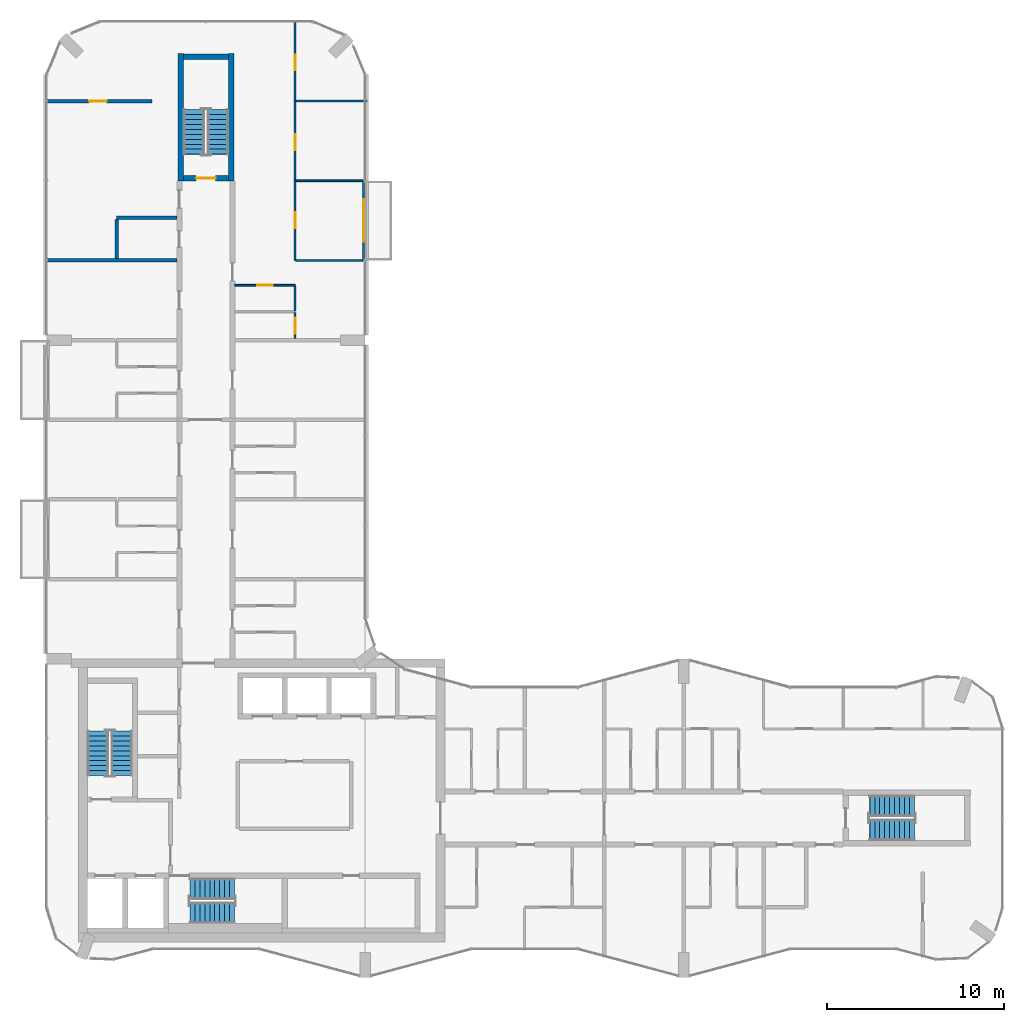
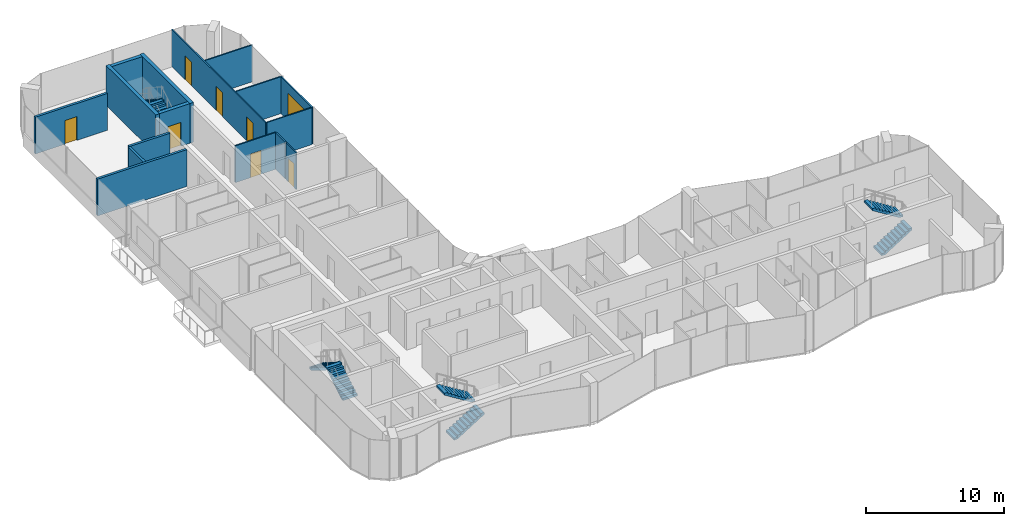
# One storey, part 13 of 16: 16 walls, 8 doors, 8 stair flights, 8 openings, 4 elements without a shape of their own.
"""IFC4 building model written with IfcOpenShell, lengths in metres."""

from ifc_helpers import new_model, si_unit, direction, frame, frame_2d, origin, place, context, subcontext, project, spatial, polyline, rectangle, outline, extrude, material, layer, layer_set, type_object, element, fill, aggregate, save


model = new_model("IFC4")

# Units and contexts
model_context = context("Model", 3, precision=1e-05, world=origin(), true_north=direction((0.0, 1.0)))
body_context = subcontext(model_context, "Body", "Model", "MODEL_VIEW")
ifc_project = project(units=[si_unit("LENGTHUNIT", "METRE"), si_unit("AREAUNIT", "SQUARE_METRE"), si_unit("VOLUMEUNIT", "CUBIC_METRE"), si_unit("PLANEANGLEUNIT", "RADIAN"), si_unit("MASSUNIT", "GRAM", prefix="KILO")], contexts=[model_context])

# Site, building, storey
site_placement = place(None, origin())
site = spatial("IfcSite", under=ifc_project, at=site_placement, CompositionType="ELEMENT")
building_placement = place(site_placement, origin())
building = spatial("IfcBuilding", under=site, at=building_placement, Name="Plateau Cross Towers", CompositionType="ELEMENT")
storey_placement = place(building_placement, frame((0.0, 0.0, 215.39990234375)))
storey = spatial("IfcBuildingStorey", under=building, at=storey_placement, Name="L56", CompositionType="ELEMENT", Elevation=215.39990234375)

# Wall, opening, door
ifc_material_1 = material(Name="Aluminium framed glazing", Category="aluminium")
ifc_layer_1 = layer(ifc_material_1, 0.10009765625)
ifc_layer_set_1 = layer_set([ifc_layer_1], Name="Aluminium framed glazing")
wall_type_1 = type_object("IfcWallType", Name="Balcony screen wall 100", PredefinedType="STANDARD", material=ifc_layer_set_1)
wall_1_placement = place(storey_placement, frame((17.89990234375, 45.0, 0.0), z_axis=(0.0, 0.0, 1.0), x_axis=(0.0, -1.0, 0.0)))
wall_1 = element("IfcWall", 1, at=wall_1_placement, inside=storey, type_object=wall_type_1, Name="Balcony screen wall A-BAL-L56-03", PredefinedType="STANDARD", context=body_context, shape_type="SweptSolid", body=[
    extrude(rectangle(XDim=4.5, YDim=0.10009765625, at=frame_2d((2.25, 0.0))), origin(), (0.0, 0.0, 1.0), 3.25),
])
opening_1_placement = place(wall_1_placement, frame((1.050048828125, 0.0, 0.0)))
opening_1 = element("IfcOpeningElement", 2, at=opening_1_placement, cuts=wall_1, Name="Opening D-B24", PredefinedType="OPENING", context=body_context, shape_type="SweptSolid", body=[
    extrude(rectangle(XDim=2.39990234375, YDim=2.39990234375, at=frame_2d((1.199951171875, 1.199951171875))), frame((0.0, 0.06005859375, 0.0), z_axis=(0.0, -1.0, 0.0), x_axis=(1.0, 0.0, 0.0)), (0.0, 0.0, 1.0), 0.1201171875),
])
ifc_material_2 = material(Name="Aluminium frame, double glazing", Category="aluminium")
door_type_1 = type_object("IfcDoorType", Name="Balcony sliding door 2400", OperationType="NOTDEFINED", PredefinedType="DOOR", material=ifc_material_2)
door_1_placement = place(opening_1_placement, origin())
door_1 = element("IfcDoor", 3, at=door_1_placement, inside=storey, type_object=door_type_1, Name="Balcony door A-BAL-L56-03", OperationType="SINGLE_SWING_LEFT", OverallHeight=2.39990234375, OverallWidth=2.39990234375, PredefinedType="DOOR", context=body_context, shape_type="SweptSolid", body=[
    extrude(rectangle(XDim=2.39990234375, YDim=2.39990234375, at=frame_2d((1.199951171875, 1.199951171875))), frame((0.0, 0.02490234375, 0.0), z_axis=(0.0, -1.0, 0.0), x_axis=(1.0, 0.0, 0.0)), (0.0, 0.0, 1.0), 0.050048828125),
])
fill(opening_1, door_1)

ifc_material_3 = material(Name="Gypsum board on steel studs", Category="steel")
ifc_layer_2 = layer(ifc_material_3, 0.10009765625)
ifc_layer_set_2 = layer_set([ifc_layer_2], Name="Gypsum board on steel studs")
wall_type_2 = type_object("IfcWallType", Name="Flat partition 100", PredefinedType="PARTITIONING", material=ifc_layer_set_2)
wall_2_placement = place(storey_placement, frame((14.03759765625, 39.10009765625, 0.0), z_axis=(0.0, 0.0, 1.0), x_axis=(-1.0, 0.0, 0.0)))
wall_2 = element("IfcWall", 4, at=wall_2_placement, inside=storey, type_object=wall_type_2, Name="Partition wall", PredefinedType="PARTITIONING", context=body_context, shape_type="SweptSolid", body=[
    extrude(rectangle(XDim=3.400146484375, YDim=0.10009765625, at=frame_2d((1.7001953125, 0.0))), origin(), (0.0, 0.0, 1.0), 3.25),
])
opening_2_placement = place(wall_2_placement, frame((1.25, 0.0, 0.0)))
opening_2 = element("IfcOpeningElement", 5, at=opening_2_placement, cuts=wall_2, Name="Opening 56-49", PredefinedType="OPENING", context=body_context, shape_type="SweptSolid", body=[
    extrude(rectangle(XDim=0.89990234375, YDim=2.10009765625, at=frame_2d((0.449951171875, 1.050048828125))), frame((0.0, 0.06005859375, 0.0), z_axis=(0.0, -1.0, 0.0), x_axis=(1.0, 0.0, 0.0)), (0.0, 0.0, 1.0), 0.1201171875),
])
ifc_material_4 = material(Name="Timber leaf", Category="wood")
door_type_2 = type_object("IfcDoorType", Name="Flat room door 900", OperationType="NOTDEFINED", PredefinedType="DOOR", material=ifc_material_4)
door_2_placement = place(opening_2_placement, origin())
door_2 = element("IfcDoor", 6, at=door_2_placement, inside=storey, type_object=door_type_2, Name="Door 56-49", OperationType="SINGLE_SWING_LEFT", OverallHeight=2.10009765625, OverallWidth=0.89990234375, PredefinedType="DOOR", context=body_context, shape_type="SweptSolid", body=[
    extrude(rectangle(XDim=0.89990234375, YDim=2.10009765625, at=frame_2d((0.449951171875, 1.050048828125))), frame((0.0, 0.02490234375, 0.0), z_axis=(0.0, -1.0, 0.0), x_axis=(1.0, 0.0, 0.0)), (0.0, 0.0, 1.0), 0.050048828125),
])
fill(opening_2, door_2)

# Walls
for number, where, z_axis, x_axis, name in (
    (7, (14.08740234375, 40.5, 0.0), (0.0, 0.0, 1.0), (1.0, 0.0, 0.0), "Partition wall"),
    (8, (17.85009765625, 45.0, 0.0), (0.0, 0.0, 1.0), (-1.0, 0.0, 0.0), "Partition wall"),
):
    element("IfcWall", number, at=place(storey_placement, frame(where, z_axis=z_axis, x_axis=x_axis)), inside=storey, type_object=wall_type_2, Name=name, PredefinedType="PARTITIONING", context=body_context, shape_type="SweptSolid", body=[
        extrude(rectangle(XDim=3.7626953125, YDim=0.10009765625, at=frame_2d((1.88134765625, 0.0))), origin(), (0.0, 0.0, 1.0), 3.25),
    ])
wall_3_placement = place(storey_placement, frame((18.080078125, 49.5, 0.0), z_axis=(0.0, 0.0, 1.0), x_axis=(-1.0, 0.0, 0.0)))
element("IfcWall", 9, at=wall_3_placement, inside=storey, type_object=wall_type_2, Name="Partition wall", PredefinedType="PARTITIONING", context=body_context, shape_type="SweptSolid", body=[
    extrude(rectangle(XDim=3.99267578125, YDim=0.10009765625, at=frame_2d((1.996337890625, 0.0))), origin(), (0.0, 0.0, 1.0), 3.25),
])

# Wall, openings, doors
wall_4_placement = place(storey_placement, frame((14.03759765625, 54.080078125, 0.0), z_axis=(0.0, 0.0, 1.0), x_axis=(0.0, -1.0, 0.0)))
wall_4 = element("IfcWall", 10, at=wall_4_placement, inside=storey, type_object=wall_type_2, Name="Partition wall", PredefinedType="PARTITIONING", context=body_context, shape_type="SweptSolid", body=[
    extrude(rectangle(XDim=13.580078125, YDim=0.10009765625, at=frame_2d((6.7900390625, 0.0))), origin(), (0.0, 0.0, 1.0), 3.25),
])
opening_3_placement = place(wall_4_placement, frame((10.85009765625, 0.0, 0.0)))
opening_3 = element("IfcOpeningElement", 11, at=opening_3_placement, cuts=wall_4, Name="Opening 56-50", PredefinedType="OPENING", context=body_context, shape_type="SweptSolid", body=[
    extrude(rectangle(XDim=0.89990234375, YDim=2.10009765625, at=frame_2d((0.449951171875, 1.050048828125))), frame((0.0, 0.06005859375, 0.0), z_axis=(0.0, -1.0, 0.0), x_axis=(1.0, 0.0, 0.0)), (0.0, 0.0, 1.0), 0.1201171875),
])
opening_4_placement = place(wall_4_placement, frame((6.449951171875, 0.0, 0.0)))
opening_4 = element("IfcOpeningElement", 12, at=opening_4_placement, cuts=wall_4, Name="Opening 56-51", PredefinedType="OPENING", context=body_context, shape_type="SweptSolid", body=[
    extrude(rectangle(XDim=0.89990234375, YDim=2.10009765625, at=frame_2d((0.449951171875, 1.050048828125))), frame((0.0, 0.06005859375, 0.0), z_axis=(0.0, -1.0, 0.0), x_axis=(1.0, 0.0, 0.0)), (0.0, 0.0, 1.0), 0.1201171875),
])
opening_5_placement = place(wall_4_placement, frame((1.949951171875, 0.0, 0.0)))
opening_5 = element("IfcOpeningElement", 13, at=opening_5_placement, cuts=wall_4, Name="Opening 56-52", PredefinedType="OPENING", context=body_context, shape_type="SweptSolid", body=[
    extrude(rectangle(XDim=0.89990234375, YDim=2.10009765625, at=frame_2d((0.449951171875, 1.050048828125))), frame((0.0, 0.06005859375, 0.0), z_axis=(0.0, -1.0, 0.0), x_axis=(1.0, 0.0, 0.0)), (0.0, 0.0, 1.0), 0.1201171875),
])
door_3_placement = place(opening_3_placement, origin())
door_3 = element("IfcDoor", 14, at=door_3_placement, inside=storey, type_object=door_type_2, Name="Door 56-50", OperationType="SINGLE_SWING_RIGHT", OverallHeight=2.10009765625, OverallWidth=0.89990234375, PredefinedType="DOOR", context=body_context, shape_type="SweptSolid", body=[
    extrude(rectangle(XDim=0.89990234375, YDim=2.10009765625, at=frame_2d((0.449951171875, 1.050048828125))), frame((0.0, 0.02490234375, 0.0), z_axis=(0.0, -1.0, 0.0), x_axis=(1.0, 0.0, 0.0)), (0.0, 0.0, 1.0), 0.050048828125),
])
fill(opening_3, door_3)
door_4_placement = place(opening_4_placement, origin())
door_4 = element("IfcDoor", 15, at=door_4_placement, inside=storey, type_object=door_type_2, Name="Door 56-51", OperationType="SINGLE_SWING_RIGHT", OverallHeight=2.10009765625, OverallWidth=0.89990234375, PredefinedType="DOOR", context=body_context, shape_type="SweptSolid", body=[
    extrude(rectangle(XDim=0.89990234375, YDim=2.10009765625, at=frame_2d((0.449951171875, 1.050048828125))), frame((0.0, 0.02490234375, 0.0), z_axis=(0.0, -1.0, 0.0), x_axis=(1.0, 0.0, 0.0)), (0.0, 0.0, 1.0), 0.050048828125),
])
fill(opening_4, door_4)
door_5_placement = place(opening_5_placement, origin())
door_5 = element("IfcDoor", 16, at=door_5_placement, inside=storey, type_object=door_type_2, Name="Door 56-52", OperationType="SINGLE_SWING_LEFT", OverallHeight=2.10009765625, OverallWidth=0.89990234375, PredefinedType="DOOR", context=body_context, shape_type="SweptSolid", body=[
    extrude(rectangle(XDim=0.89990234375, YDim=2.10009765625, at=frame_2d((0.449951171875, 1.050048828125))), frame((0.0, 0.02490234375, 0.0), z_axis=(0.0, -1.0, 0.0), x_axis=(1.0, 0.0, 0.0)), (0.0, 0.0, 1.0), 0.050048828125),
])
fill(opening_5, door_5)

# Wall, opening, door
wall_5_placement = place(storey_placement, frame((14.03759765625, 36.10009765625, 0.0), z_axis=(0.0, 0.0, 1.0), x_axis=(0.0, 1.0, 0.0)))
wall_5 = element("IfcWall", 17, at=wall_5_placement, inside=storey, type_object=wall_type_2, Name="Partition wall", PredefinedType="PARTITIONING", context=body_context, shape_type="SweptSolid", body=[
    extrude(rectangle(XDim=1.449951171875, YDim=0.10009765625, at=frame_2d((0.72509765625, 0.0))), origin(), (0.0, 0.0, 1.0), 3.25),
])
opening_6_placement = place(wall_5_placement, frame((0.25, 0.0, 0.0)))
opening_6 = element("IfcOpeningElement", 18, at=opening_6_placement, cuts=wall_5, Name="Opening 56-48", PredefinedType="OPENING", context=body_context, shape_type="SweptSolid", body=[
    extrude(rectangle(XDim=0.89990234375, YDim=2.10009765625, at=frame_2d((0.449951171875, 1.050048828125))), frame((0.0, 0.06005859375, 0.0), z_axis=(0.0, -1.0, 0.0), x_axis=(1.0, 0.0, 0.0)), (0.0, 0.0, 1.0), 0.1201171875),
])
door_6_placement = place(opening_6_placement, origin())
door_6 = element("IfcDoor", 19, at=door_6_placement, inside=storey, type_object=door_type_2, Name="Door 56-48", OperationType="SINGLE_SWING_LEFT", OverallHeight=2.10009765625, OverallWidth=0.89990234375, PredefinedType="DOOR", context=body_context, shape_type="SweptSolid", body=[
    extrude(rectangle(XDim=0.89990234375, YDim=2.10009765625, at=frame_2d((0.449951171875, 1.050048828125))), frame((0.0, 0.02490234375, 0.0), z_axis=(0.0, -1.0, 0.0), x_axis=(1.0, 0.0, 0.0)), (0.0, 0.0, 1.0), 0.050048828125),
])
fill(opening_6, door_6)

# Walls
wall_6_placement = place(storey_placement, frame((14.03759765625, 37.64990234375, 0.0), z_axis=(0.0, 0.0, 1.0), x_axis=(0.0, 1.0, 0.0)))
element("IfcWall", 20, at=wall_6_placement, inside=storey, type_object=wall_type_2, Name="Partition wall", PredefinedType="PARTITIONING", context=body_context, shape_type="SweptSolid", body=[
    extrude(rectangle(XDim=1.400146484375, YDim=0.10009765625, at=frame_2d((0.7001953125, 0.0))), origin(), (0.0, 0.0, 1.0), 3.25),
])
ifc_material_5 = material(Name="Gypsum board on steel studs, two layers each side", Category="steel")
ifc_layer_3 = layer(ifc_material_5, 0.199951171875)
ifc_layer_set_3 = layer_set([ifc_layer_3], Name="Gypsum board on steel studs, two layers each side")
wall_type_3 = type_object("IfcWallType", Name="Flat party wall 200", PredefinedType="PARTITIONING", material=ifc_layer_set_3)
wall_7_placement = place(storey_placement, frame((7.362548828125, 40.5, 0.0), z_axis=(0.0, 0.0, 1.0), x_axis=(-1.0, 0.0, 0.0)))
element("IfcWall", 21, at=wall_7_placement, inside=storey, type_object=wall_type_3, Name="Party wall", PredefinedType="PARTITIONING", context=body_context, shape_type="SweptSolid", body=[
    extrude(rectangle(XDim=7.442626953125, YDim=0.199951171875, at=frame_2d((3.72119140625, 0.0))), origin(), (0.0, 0.0, 1.0), 3.25),
])
wall_8_placement = place(storey_placement, frame((7.362548828125, 42.89990234375, 0.0), z_axis=(0.0, 0.0, 1.0), x_axis=(-1.0, 0.0, 0.0)))
element("IfcWall", 22, at=wall_8_placement, inside=storey, type_object=wall_type_3, Name="Party wall", PredefinedType="PARTITIONING", context=body_context, shape_type="SweptSolid", body=[
    extrude(rectangle(XDim=3.400146484375, YDim=0.199951171875, at=frame_2d((1.7001953125, 0.0))), origin(), (0.0, 0.0, 1.0), 3.25),
])

# Wall, opening, door
wall_9_placement = place(storey_placement, frame((5.949951171875, 49.5, 0.0), z_axis=(0.0, 0.0, 1.0), x_axis=(-1.0, 0.0, 0.0)))
wall_9 = element("IfcWall", 23, at=wall_9_placement, inside=storey, type_object=wall_type_3, Name="Party wall", PredefinedType="PARTITIONING", context=body_context, shape_type="SweptSolid", body=[
    extrude(rectangle(XDim=6.030029296875, YDim=0.199951171875, at=frame_2d((3.01513671875, 0.0))), origin(), (0.0, 0.0, 1.0), 3.25),
])
opening_7_placement = place(wall_9_placement, frame((2.550048828125, 0.0, 0.0)))
opening_7 = element("IfcOpeningElement", 24, at=opening_7_placement, cuts=wall_9, Name="Opening 56-25", PredefinedType="OPENING", context=body_context, shape_type="SweptSolid", body=[
    extrude(rectangle(XDim=1.0, YDim=2.10009765625, at=frame_2d((0.5, 1.050048828125))), frame((0.0, 0.10986328125, 0.0), z_axis=(0.0, -1.0, 0.0), x_axis=(1.0, 0.0, 0.0)), (0.0, 0.0, 1.0), 0.219970703125),
])
ifc_material_6 = material(Name="Timber, fire-resisting leaf", Category="wood")
door_type_3 = type_object("IfcDoorType", Name="Flat entrance door 1000", OperationType="NOTDEFINED", PredefinedType="DOOR", material=ifc_material_6)
door_7_placement = place(opening_7_placement, origin())
door_7 = element("IfcDoor", 25, at=door_7_placement, inside=storey, type_object=door_type_3, Name="Door 56-25", OperationType="SINGLE_SWING_RIGHT", OverallHeight=2.10009765625, OverallWidth=1.0, PredefinedType="DOOR", context=body_context, shape_type="SweptSolid", body=[
    extrude(rectangle(XDim=1.0, YDim=2.10009765625, at=frame_2d((0.5, 1.050048828125))), frame((0.0, 0.02490234375, 0.0), z_axis=(0.0, -1.0, 0.0), x_axis=(1.0, 0.0, 0.0)), (0.0, 0.0, 1.0), 0.050048828125),
])
fill(opening_7, door_7)

# Wall
wall_10_placement = place(storey_placement, frame((3.96240234375, 42.800048828125, 0.0), z_axis=(0.0, 0.0, 1.0), x_axis=(0.0, -1.0, 0.0)))
element("IfcWall", 26, at=wall_10_placement, inside=storey, type_object=wall_type_3, Name="Party wall", PredefinedType="PARTITIONING", context=body_context, shape_type="SweptSolid", body=[
    extrude(rectangle(XDim=2.199951171875, YDim=0.199951171875, at=frame_2d((1.10009765625, 0.0))), origin(), (0.0, 0.0, 1.0), 3.25),
])

# Wall, opening, door
ifc_material_7 = material(Name="Concrete C60/75", Category="concrete")
ifc_layer_4 = layer(ifc_material_7, 0.300048828125)
ifc_layer_set_4 = layer_set([ifc_layer_4], Name="Concrete C60/75")
wall_type_4 = type_object("IfcWallType", Name="Stair tower wall 300", PredefinedType="SHEAR", material=ifc_layer_set_4)
wall_11_placement = place(storey_placement, frame((7.72509765625, 45.14990234375, 0.0), z_axis=(0.0, 0.0, 1.0), x_axis=(1.0, 0.0, 0.0)))
wall_11 = element("IfcWall", 27, at=wall_11_placement, inside=storey, type_object=wall_type_4, Name="A-end-N-S@L56", PredefinedType="SHEAR", context=body_context, shape_type="SweptSolid", body=[
    extrude(rectangle(XDim=2.5498046875, YDim=0.300048828125, at=frame_2d((1.27490234375, 0.0))), origin(), (0.0, 0.0, 1.0), 3.5),
])
opening_8_placement = place(wall_11_placement, frame((0.72509765625, 0.0, 0.0)))
opening_8 = element("IfcOpeningElement", 28, at=opening_8_placement, cuts=wall_11, Name="Opening SD", PredefinedType="OPENING", context=body_context, shape_type="SweptSolid", body=[
    extrude(rectangle(XDim=1.10009765625, YDim=2.10009765625, at=frame_2d((0.550048828125, 1.050048828125))), frame((0.0, 0.159912109375, 0.0), z_axis=(0.0, -1.0, 0.0), x_axis=(1.0, 0.0, 0.0)), (0.0, 0.0, 1.0), 0.320068359375),
])
ifc_material_8 = material(Name="Steel, fire-resisting leaf", Category="steel")
door_type_4 = type_object("IfcDoorType", Name="Stair door 1100", OperationType="NOTDEFINED", PredefinedType="DOOR", material=ifc_material_8)
door_8_placement = place(opening_8_placement, origin())
door_8 = element("IfcDoor", 29, at=door_8_placement, inside=storey, type_object=door_type_4, Name="Stair door SD", OperationType="SINGLE_SWING_LEFT", OverallHeight=2.10009765625, OverallWidth=1.10009765625, PredefinedType="DOOR", context=body_context, shape_type="SweptSolid", body=[
    extrude(rectangle(XDim=1.10009765625, YDim=2.10009765625, at=frame_2d((0.550048828125, 1.050048828125))), frame((0.0, 0.02490234375, 0.0), z_axis=(0.0, -1.0, 0.0), x_axis=(1.0, 0.0, 0.0)), (0.0, 0.0, 1.0), 0.050048828125),
])
fill(opening_8, door_8)

# Walls
wall_12_placement = place(storey_placement, frame((7.72509765625, 52.0, 0.0), z_axis=(0.0, 0.0, 1.0), x_axis=(1.0, 0.0, 0.0)))
element("IfcWall", 30, at=wall_12_placement, inside=storey, type_object=wall_type_4, Name="A-end-N-N@L56", PredefinedType="SHEAR", context=body_context, shape_type="SweptSolid", body=[
    extrude(rectangle(XDim=2.5498046875, YDim=0.300048828125, at=frame_2d((1.27490234375, 0.0))), origin(), (0.0, 0.0, 1.0), 3.5),
])
for number, where, z_axis, x_axis, name in (
    (31, (7.574951171875, 45.0, 0.0), (0.0, 0.0, 1.0), (0.0, 1.0, 0.0), "A-end-N-W@L56"),
    (32, (10.425048828125, 45.0, 0.0), (0.0, 0.0, 1.0), (0.0, 1.0, 0.0), "A-end-N-E@L56"),
):
    element("IfcWall", number, at=place(storey_placement, frame(where, z_axis=z_axis, x_axis=x_axis)), inside=storey, type_object=wall_type_4, Name=name, PredefinedType="SHEAR", context=body_context, shape_type="SweptSolid", body=[
        extrude(rectangle(XDim=7.199951171875, YDim=0.300048828125, at=frame_2d((3.60009765625, 0.0))), origin(), (0.0, 0.0, 1.0), 3.5),
    ])

# Stair, stair flights
ifc_material_9 = material(Name="Concrete C40/50", Category="concrete")
stair_type = type_object("IfcStairType", Name="ST-TWR", PredefinedType="HALF_TURN_STAIR", material=ifc_material_9)
stair_1_placement = place(storey_placement, origin())
stair_1 = element("IfcStair", 33, at=stair_1_placement, inside=storey, type_object=stair_type, Name="L56 Protected Exit Stair ST-1", PredefinedType="HALF_TURN_STAIR")
stair_flight_type = type_object("IfcStairFlightType", Name="SFL-RC", PredefinedType="STRAIGHT", material=ifc_material_9)
stair_flight_1_placement = place(storey_placement, frame((4.25, 11.39990234375, 0.0), z_axis=(0.0, 0.0, 1.0), x_axis=(0.0, 1.0, 0.0)))
stair_flight_1 = element("IfcStairFlight", 34, at=stair_flight_1_placement, type_object=stair_flight_type, Name="ST-1 flight 1", NumberOfRisers=10, NumberOfTreads=9, PredefinedType="STRAIGHT", RiserHeight=0.175, TreadLength=0.28, context=body_context, shape_type="SweptSolid", body=[
    extrude(outline(polyline([(-0.0048828125, -0.010009765625), (-0.0048828125, 0.0), (0.0, 0.0), (0.0, 0.175048828125), (0.280029296875, 0.175048828125), (0.280029296875, 0.35009765625), (0.56005859375, 0.35009765625), (0.56005859375, 0.52490234375), (0.840087890625, 0.52490234375), (0.840087890625, 0.699951171875), (1.1201171875, 0.699951171875), (1.1201171875, 0.875), (1.39990234375, 0.875), (1.39990234375, 1.050048828125), (1.679931640625, 1.050048828125), (1.679931640625, 1.22509765625), (1.9599609375, 1.22509765625), (1.9599609375, 1.39990234375), (2.239990234375, 1.39990234375), (2.239990234375, 1.574951171875), (2.52001953125, 1.574951171875), (2.52490234375, 1.56494140625), (2.52490234375, 1.398193359375), (2.52001953125, 1.398193359375), (0.28271484375, 0.0), (0.02001953125, 0.0), (0.02001953125, -0.010009765625), (-0.0048828125, -0.010009765625)])), frame((0.0, 0.60009765625, 0.0), z_axis=(0.0, -1.0, 0.0), x_axis=(1.0, 0.0, 0.0)), (0.0, 0.0, 1.0), 1.199951171875),
])
stair_flight_2_placement = place(storey_placement, frame((2.89990234375, 13.919921875, 1.75), z_axis=(0.0, 0.0, 1.0), x_axis=(0.0, -1.0, 0.0)))
stair_flight_2 = element("IfcStairFlight", 35, at=stair_flight_2_placement, type_object=stair_flight_type, Name="ST-1 flight 2", NumberOfRisers=10, NumberOfTreads=9, PredefinedType="STRAIGHT", RiserHeight=0.175, TreadLength=0.28, context=body_context, shape_type="SweptSolid", body=[
    extrude(outline(polyline([(-0.0048828125, -0.010009765625), (-0.0048828125, 0.0), (0.0, 0.0), (0.0, 0.175048828125), (0.280029296875, 0.175048828125), (0.280029296875, 0.35009765625), (0.56005859375, 0.35009765625), (0.56005859375, 0.52490234375), (0.840087890625, 0.52490234375), (0.840087890625, 0.699951171875), (1.1201171875, 0.699951171875), (1.1201171875, 0.875), (1.39990234375, 0.875), (1.39990234375, 1.050048828125), (1.679931640625, 1.050048828125), (1.679931640625, 1.22509765625), (1.9599609375, 1.22509765625), (1.9599609375, 1.39990234375), (2.239990234375, 1.39990234375), (2.239990234375, 1.574951171875), (2.52001953125, 1.574951171875), (2.52490234375, 1.56494140625), (2.52490234375, 1.398193359375), (2.52001953125, 1.398193359375), (0.28271484375, 0.0), (0.02001953125, 0.0), (0.02001953125, -0.010009765625), (-0.0048828125, -0.010009765625)])), frame((0.0, 0.60009765625, 0.0), z_axis=(0.0, -1.0, 0.0), x_axis=(1.0, 0.0, 0.0)), (0.0, 0.0, 1.0), 1.199951171875),
])
aggregate(stair_1, [stair_flight_1, stair_flight_2])

stair_2_placement = place(storey_placement, origin())
stair_2 = element("IfcStair", 36, at=stair_2_placement, inside=storey, type_object=stair_type, Name="L56 Protected Exit Stair ST-2", PredefinedType="HALF_TURN_STAIR")
stair_flight_3_placement = place(storey_placement, frame((8.10009765625, 3.64990234375, 0.0), z_axis=(0.0, 0.0, 1.0), x_axis=(1.0, 0.0, 0.0)))
stair_flight_3 = element("IfcStairFlight", 37, at=stair_flight_3_placement, type_object=stair_flight_type, Name="ST-2 flight 1", NumberOfRisers=10, NumberOfTreads=9, PredefinedType="STRAIGHT", RiserHeight=0.175, TreadLength=0.28, context=body_context, shape_type="SweptSolid", body=[
    extrude(outline(polyline([(-0.0048828125, -0.010009765625), (-0.0048828125, 0.0), (0.0, 0.0), (0.0, 0.175048828125), (0.280029296875, 0.175048828125), (0.280029296875, 0.35009765625), (0.56005859375, 0.35009765625), (0.56005859375, 0.52490234375), (0.840087890625, 0.52490234375), (0.840087890625, 0.699951171875), (1.1201171875, 0.699951171875), (1.1201171875, 0.875), (1.39990234375, 0.875), (1.39990234375, 1.050048828125), (1.679931640625, 1.050048828125), (1.679931640625, 1.22509765625), (1.9599609375, 1.22509765625), (1.9599609375, 1.39990234375), (2.239990234375, 1.39990234375), (2.239990234375, 1.574951171875), (2.52001953125, 1.574951171875), (2.52490234375, 1.56494140625), (2.52490234375, 1.398193359375), (2.52001953125, 1.398193359375), (0.28271484375, 0.0), (0.02001953125, 0.0), (0.02001953125, -0.010009765625), (-0.0048828125, -0.010009765625)])), frame((0.0, 0.60009765625, 0.0), z_axis=(0.0, -1.0, 0.0), x_axis=(1.0, 0.0, 0.0)), (0.0, 0.0, 1.0), 1.199951171875),
])
stair_flight_4_placement = place(storey_placement, frame((10.6201171875, 5.0, 1.75), z_axis=(0.0, 0.0, 1.0), x_axis=(-1.0, 0.0, 0.0)))
stair_flight_4 = element("IfcStairFlight", 38, at=stair_flight_4_placement, type_object=stair_flight_type, Name="ST-2 flight 2", NumberOfRisers=10, NumberOfTreads=9, PredefinedType="STRAIGHT", RiserHeight=0.175, TreadLength=0.28, context=body_context, shape_type="SweptSolid", body=[
    extrude(outline(polyline([(-0.0048828125, -0.010009765625), (-0.0048828125, 0.0), (0.0, 0.0), (0.0, 0.175048828125), (0.280029296875, 0.175048828125), (0.280029296875, 0.35009765625), (0.56005859375, 0.35009765625), (0.56005859375, 0.52490234375), (0.840087890625, 0.52490234375), (0.840087890625, 0.699951171875), (1.1201171875, 0.699951171875), (1.1201171875, 0.875), (1.39990234375, 0.875), (1.39990234375, 1.050048828125), (1.679931640625, 1.050048828125), (1.679931640625, 1.22509765625), (1.9599609375, 1.22509765625), (1.9599609375, 1.39990234375), (2.239990234375, 1.39990234375), (2.239990234375, 1.574951171875), (2.52001953125, 1.574951171875), (2.52490234375, 1.56494140625), (2.52490234375, 1.398193359375), (2.52001953125, 1.398193359375), (0.28271484375, 0.0), (0.02001953125, 0.0), (0.02001953125, -0.010009765625), (-0.0048828125, -0.010009765625)])), frame((0.0, 0.60009765625, 0.0), z_axis=(0.0, -1.0, 0.0), x_axis=(1.0, 0.0, 0.0)), (0.0, 0.0, 1.0), 1.199951171875),
])
aggregate(stair_2, [stair_flight_3, stair_flight_4])

stair_3_placement = place(storey_placement, origin())
stair_3 = element("IfcStair", 39, at=stair_3_placement, inside=storey, type_object=stair_type, Name="L56 Protected Exit Stair E", PredefinedType="HALF_TURN_STAIR")
stair_flight_5_placement = place(storey_placement, frame((46.5, 8.324951171875, 0.0), z_axis=(0.0, 0.0, 1.0), x_axis=(1.0, 0.0, 0.0)))
stair_flight_5 = element("IfcStairFlight", 40, at=stair_flight_5_placement, type_object=stair_flight_type, Name="ES-E flight 1", NumberOfRisers=10, NumberOfTreads=9, PredefinedType="STRAIGHT", RiserHeight=0.175, TreadLength=0.28, context=body_context, shape_type="SweptSolid", body=[
    extrude(outline(polyline([(-0.0048828125, -0.010009765625), (-0.0048828125, 0.0), (0.0, 0.0), (0.0, 0.175048828125), (0.280029296875, 0.175048828125), (0.280029296875, 0.35009765625), (0.56005859375, 0.35009765625), (0.56005859375, 0.52490234375), (0.840087890625, 0.52490234375), (0.840087890625, 0.699951171875), (1.1201171875, 0.699951171875), (1.1201171875, 0.875), (1.39990234375, 0.875), (1.39990234375, 1.050048828125), (1.679931640625, 1.050048828125), (1.679931640625, 1.22509765625), (1.9599609375, 1.22509765625), (1.9599609375, 1.39990234375), (2.239990234375, 1.39990234375), (2.239990234375, 1.574951171875), (2.52001953125, 1.574951171875), (2.52490234375, 1.56494140625), (2.52490234375, 1.398193359375), (2.52001953125, 1.398193359375), (0.28271484375, 0.0), (0.02001953125, 0.0), (0.02001953125, -0.010009765625), (-0.0048828125, -0.010009765625)])), frame((0.0, 0.60009765625, 0.0), z_axis=(0.0, -1.0, 0.0), x_axis=(1.0, 0.0, 0.0)), (0.0, 0.0, 1.0), 1.199951171875),
])
stair_flight_6_placement = place(storey_placement, frame((49.02001953125, 9.675048828125, 1.75), z_axis=(0.0, 0.0, 1.0), x_axis=(-1.0, 0.0, 0.0)))
stair_flight_6 = element("IfcStairFlight", 41, at=stair_flight_6_placement, type_object=stair_flight_type, Name="ES-E flight 2", NumberOfRisers=10, NumberOfTreads=9, PredefinedType="STRAIGHT", RiserHeight=0.175, TreadLength=0.28, context=body_context, shape_type="SweptSolid", body=[
    extrude(outline(polyline([(-0.0048828125, -0.010009765625), (-0.0048828125, 0.0), (0.0, 0.0), (0.0, 0.175048828125), (0.280029296875, 0.175048828125), (0.280029296875, 0.35009765625), (0.56005859375, 0.35009765625), (0.56005859375, 0.52490234375), (0.840087890625, 0.52490234375), (0.840087890625, 0.699951171875), (1.1201171875, 0.699951171875), (1.1201171875, 0.875), (1.39990234375, 0.875), (1.39990234375, 1.050048828125), (1.679931640625, 1.050048828125), (1.679931640625, 1.22509765625), (1.9599609375, 1.22509765625), (1.9599609375, 1.39990234375), (2.239990234375, 1.39990234375), (2.239990234375, 1.574951171875), (2.52001953125, 1.574951171875), (2.52490234375, 1.56494140625), (2.52490234375, 1.398193359375), (2.52001953125, 1.398193359375), (0.28271484375, 0.0), (0.02001953125, 0.0), (0.02001953125, -0.010009765625), (-0.0048828125, -0.010009765625)])), frame((0.0, 0.60009765625, 0.0), z_axis=(0.0, -1.0, 0.0), x_axis=(1.0, 0.0, 0.0)), (0.0, 0.0, 1.0), 1.199951171875),
])
aggregate(stair_3, [stair_flight_5, stair_flight_6])

stair_4_placement = place(storey_placement, origin())
stair_4 = element("IfcStair", 42, at=stair_4_placement, inside=storey, type_object=stair_type, Name="L56 Protected Exit Stair N", PredefinedType="HALF_TURN_STAIR")
stair_flight_7_placement = place(storey_placement, frame((9.675048828125, 46.5, 0.0), z_axis=(0.0, 0.0, 1.0), x_axis=(0.0, 1.0, 0.0)))
stair_flight_7 = element("IfcStairFlight", 43, at=stair_flight_7_placement, type_object=stair_flight_type, Name="ES-N flight 1", NumberOfRisers=10, NumberOfTreads=9, PredefinedType="STRAIGHT", RiserHeight=0.175, TreadLength=0.28, context=body_context, shape_type="SweptSolid", body=[
    extrude(outline(polyline([(-0.0048828125, -0.010009765625), (-0.0048828125, 0.0), (0.0, 0.0), (0.0, 0.175048828125), (0.280029296875, 0.175048828125), (0.280029296875, 0.35009765625), (0.56005859375, 0.35009765625), (0.56005859375, 0.52490234375), (0.840087890625, 0.52490234375), (0.840087890625, 0.699951171875), (1.1201171875, 0.699951171875), (1.1201171875, 0.875), (1.39990234375, 0.875), (1.39990234375, 1.050048828125), (1.679931640625, 1.050048828125), (1.679931640625, 1.22509765625), (1.9599609375, 1.22509765625), (1.9599609375, 1.39990234375), (2.239990234375, 1.39990234375), (2.239990234375, 1.574951171875), (2.52001953125, 1.574951171875), (2.52490234375, 1.56494140625), (2.52490234375, 1.398193359375), (2.52001953125, 1.398193359375), (0.28271484375, 0.0), (0.02001953125, 0.0), (0.02001953125, -0.010009765625), (-0.0048828125, -0.010009765625)])), frame((0.0, 0.60009765625, 0.0), z_axis=(0.0, -1.0, 0.0), x_axis=(1.0, 0.0, 0.0)), (0.0, 0.0, 1.0), 1.199951171875),
])
stair_flight_8_placement = place(storey_placement, frame((8.324951171875, 49.02001953125, 1.75), z_axis=(0.0, 0.0, 1.0), x_axis=(0.0, -1.0, 0.0)))
stair_flight_8 = element("IfcStairFlight", 44, at=stair_flight_8_placement, type_object=stair_flight_type, Name="ES-N flight 2", NumberOfRisers=10, NumberOfTreads=9, PredefinedType="STRAIGHT", RiserHeight=0.175, TreadLength=0.28, context=body_context, shape_type="SweptSolid", body=[
    extrude(outline(polyline([(-0.0048828125, -0.010009765625), (-0.0048828125, 0.0), (0.0, 0.0), (0.0, 0.175048828125), (0.280029296875, 0.175048828125), (0.280029296875, 0.35009765625), (0.56005859375, 0.35009765625), (0.56005859375, 0.52490234375), (0.840087890625, 0.52490234375), (0.840087890625, 0.699951171875), (1.1201171875, 0.699951171875), (1.1201171875, 0.875), (1.39990234375, 0.875), (1.39990234375, 1.050048828125), (1.679931640625, 1.050048828125), (1.679931640625, 1.22509765625), (1.9599609375, 1.22509765625), (1.9599609375, 1.39990234375), (2.239990234375, 1.39990234375), (2.239990234375, 1.574951171875), (2.52001953125, 1.574951171875), (2.52490234375, 1.56494140625), (2.52490234375, 1.398193359375), (2.52001953125, 1.398193359375), (0.28271484375, 0.0), (0.02001953125, 0.0), (0.02001953125, -0.010009765625), (-0.0048828125, -0.010009765625)])), frame((0.0, 0.60009765625, 0.0), z_axis=(0.0, -1.0, 0.0), x_axis=(1.0, 0.0, 0.0)), (0.0, 0.0, 1.0), 1.199951171875),
])
aggregate(stair_4, [stair_flight_7, stair_flight_8])

save(model, "model.ifc")
